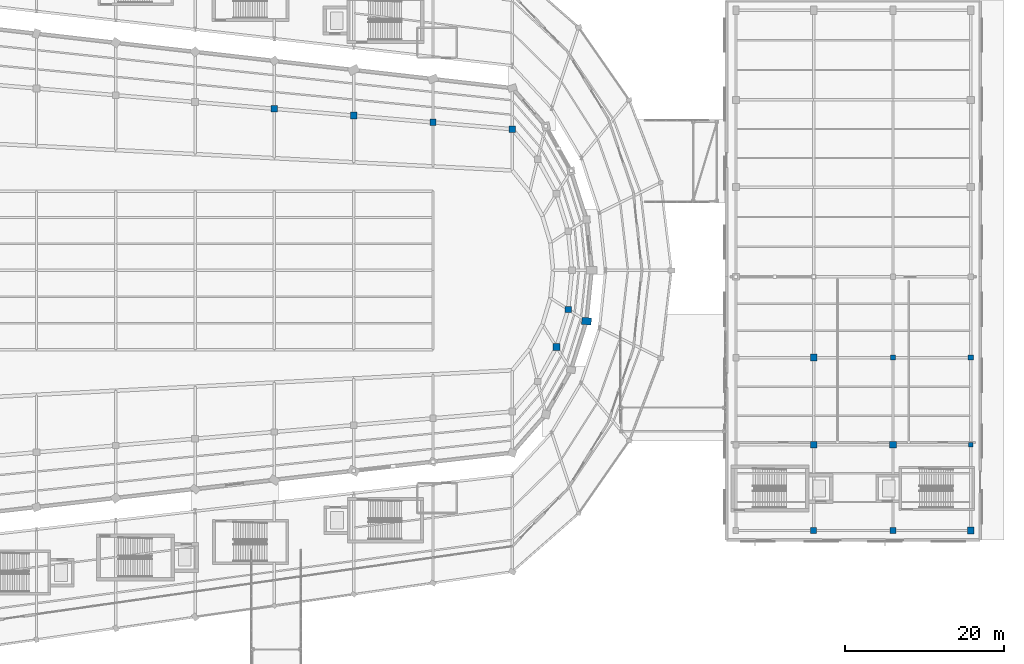
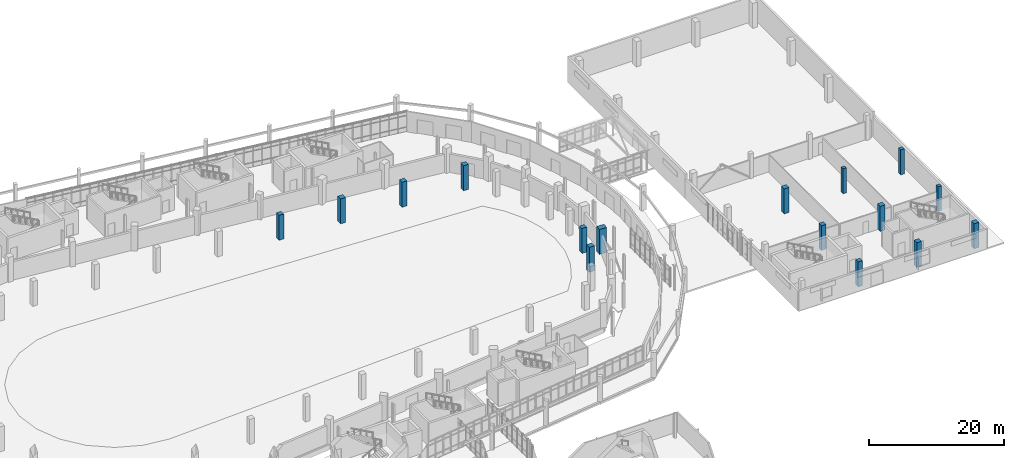
# One storey, part 22 of 122: 16 columns.
"""IFC4 building model written with IfcOpenShell, lengths in metres."""

from ifc_helpers import new_model, si_unit, direction, frame, origin, origin_2d, place, context, subcontext, project, spatial, rectangle, extrude, material, material_profile, profile_set, type_object, element, save


model = new_model("IFC4")

# Units and contexts
model_context = context("Model", 3, precision=1e-05, world=origin(), true_north=direction((0.0, 1.0)))
body_context = subcontext(model_context, "Body", "Model", "MODEL_VIEW")
ifc_project = project(units=[si_unit("LENGTHUNIT", "METRE"), si_unit("AREAUNIT", "SQUARE_METRE"), si_unit("VOLUMEUNIT", "CUBIC_METRE"), si_unit("PLANEANGLEUNIT", "RADIAN"), si_unit("MASSUNIT", "GRAM", prefix="KILO")], contexts=[model_context])

# Site, building, storey
site_placement = place(None, origin())
site = spatial("IfcSite", under=ifc_project, at=site_placement, CompositionType="ELEMENT")
building_placement = place(site_placement, origin())
building = spatial("IfcBuilding", under=site, at=building_placement, Name="Sohan Crest Arena", CompositionType="ELEMENT")
storey_placement = place(building_placement, origin())
storey = spatial("IfcBuildingStorey", under=building, at=storey_placement, Name="L00", CompositionType="ELEMENT", Elevation=0.0)

# Columns
ifc_material = material(Name="Concrete C40/50", Category="concrete")
ifc_material_profile_1 = material_profile(ifc_material, rectangle(XDim=0.60009765625, YDim=0.60009765625, at=origin_2d()), Name="RC 600x600")
ifc_profile_set_1 = profile_set([ifc_material_profile_1], Name="Concrete C40/50")
column_type_1 = type_object("IfcColumnType", Name="STR-COL-C01", PredefinedType="COLUMN", material=ifc_profile_set_1)
for number, where, z_axis, x_axis, name in (
    (1, (216.0, 67.0, 0.0), (0.0, 0.0, 1.0), (1.0, 0.0, 0.0), "Structural column COL-V4S-33-L00"),
    (2, (225.800048828125, 56.0, 0.0), (0.0, 0.0, 1.0), (1.0, 0.0, 0.0), "Structural column COL-V4S-42-L00"),
):
    element("IfcColumn", number, at=place(storey_placement, frame(where, z_axis=z_axis, x_axis=x_axis)), inside=storey, type_object=column_type_1, Name=name, PredefinedType="COLUMN", context=body_context, shape_type="SweptSolid", body=[
        extrude(rectangle(XDim=0.60009765625, YDim=0.60009765625, at=origin_2d()), origin(), (0.0, 0.0, 1.0), 4.5),
    ])
ifc_material_profile_2 = material_profile(ifc_material, rectangle(XDim=0.64990234375, YDim=0.64990234375, at=origin_2d()), Name="RC 650x650")
ifc_profile_set_2 = profile_set([ifc_material_profile_2], Name="Concrete C40/50")
column_type_2 = type_object("IfcColumnType", Name="STR-COL-C02", PredefinedType="COLUMN", material=ifc_profile_set_2)
column_1_placement = place(storey_placement, frame((225.800048828125, 67.0, 0.0), z_axis=(0.0, 0.0, 1.0), x_axis=(1.0, 0.0, 0.0)))
element("IfcColumn", 3, at=column_1_placement, inside=storey, type_object=column_type_2, Name="Structural column COL-V4S-43-L00", PredefinedType="COLUMN", context=body_context, shape_type="SweptSolid", body=[
    extrude(rectangle(XDim=0.64990234375, YDim=0.64990234375, at=origin_2d()), origin(), (0.0, 0.0, 1.0), 4.5),
])
ifc_material_profile_3 = material_profile(ifc_material, rectangle(XDim=0.75, YDim=0.75, at=origin_2d()), Name="RC 750x750")
ifc_profile_set_3 = profile_set([ifc_material_profile_3], Name="Concrete C40/50")
column_type_3 = type_object("IfcColumnType", Name="STR-COL-C04", PredefinedType="COLUMN", material=ifc_profile_set_3)
column_2_placement = place(storey_placement, frame((206.0, 45.199951171875, 0.0), z_axis=(0.0, 0.0, 1.0), x_axis=(1.0, 0.0, 0.0)))
element("IfcColumn", 4, at=column_2_placement, inside=storey, type_object=column_type_3, Name="Structural column COL-V4S-21-L00", PredefinedType="COLUMN", context=body_context, shape_type="SweptSolid", body=[
    extrude(rectangle(XDim=0.75, YDim=0.75, at=origin_2d()), origin(), (0.0, 0.0, 1.0), 4.5),
])
ifc_material_profile_4 = material_profile(ifc_material, rectangle(XDim=0.800048828125, YDim=0.800048828125, at=origin_2d()), Name="RC 800x800")
ifc_profile_set_4 = profile_set([ifc_material_profile_4], Name="Concrete C40/50")
column_type_4 = type_object("IfcColumnType", Name="STR-COL-C05", PredefinedType="COLUMN", material=ifc_profile_set_4)
for number, where, z_axis, x_axis, name in (
    (5, (175.037109375, 73.070068359375, 0.0), (0.0, 0.0, 1.0), (1.0, 0.0, 0.0), "Structural column COL-V1M-23-L00"),
    (6, (158.0, 96.656982421875, 0.0), (0.0, 0.0, 1.0), (1.0, 0.0, 0.0), "Structural column COL-V1M-29-L00"),
    (7, (138.0, 98.37109375, 0.0), (0.0, 0.0, 1.0), (1.0, 0.0, 0.0), "Structural column COL-V1M-31-L00"),
    (8, (206.0, 56.0, 0.0), (0.0, 0.0, 1.0), (1.0, 0.0, 0.0), "Structural column COL-V4S-22-L00"),
    (9, (216.0, 45.199951171875, 0.0), (0.0, 0.0, 1.0), (1.0, 0.0, 0.0), "Structural column COL-V4S-31-L00"),
):
    element("IfcColumn", number, at=place(storey_placement, frame(where, z_axis=z_axis, x_axis=x_axis)), inside=storey, type_object=column_type_4, Name=name, PredefinedType="COLUMN", context=body_context, shape_type="SweptSolid", body=[
        extrude(rectangle(XDim=0.800048828125, YDim=0.800048828125, at=origin_2d()), origin(), (0.0, 0.0, 1.0), 4.5),
    ])
ifc_material_profile_5 = material_profile(ifc_material, rectangle(XDim=0.85009765625, YDim=0.85009765625, at=origin_2d()), Name="RC 850x850")
ifc_profile_set_5 = profile_set([ifc_material_profile_5], Name="Concrete C40/50")
column_type_5 = type_object("IfcColumnType", Name="STR-COL-C06", PredefinedType="COLUMN", material=ifc_profile_set_5)
for number, where, z_axis, x_axis, name in (
    (10, (173.571044921875, 68.3359375, 0.0), (0.0, 0.0, 1.0), (1.0, 0.0, 0.0), "Structural column COL-V1M-22-L00"),
    (11, (168.0, 95.800048828125, 0.0), (0.0, 0.0, 1.0), (1.0, 0.0, 0.0), "Structural column COL-V1M-28-L00"),
    (12, (148.0, 97.513916015625, 0.0), (0.0, 0.0, 1.0), (1.0, 0.0, 0.0), "Structural column COL-V1M-30-L00"),
    (13, (206.0, 67.0, 0.0), (0.0, 0.0, 1.0), (1.0, 0.0, 0.0), "Structural column COL-V4S-23-L00"),
    (14, (216.0, 56.0, 0.0), (0.0, 0.0, 1.0), (1.0, 0.0, 0.0), "Structural column COL-V4S-32-L00"),
    (15, (225.800048828125, 45.199951171875, 0.0), (0.0, 0.0, 1.0), (1.0, 0.0, 0.0), "Structural column COL-V4S-41-L00"),
):
    element("IfcColumn", number, at=place(storey_placement, frame(where, z_axis=z_axis, x_axis=x_axis)), inside=storey, type_object=column_type_5, Name=name, PredefinedType="COLUMN", context=body_context, shape_type="SweptSolid", body=[
        extrude(rectangle(XDim=0.85009765625, YDim=0.85009765625, at=origin_2d()), origin(), (0.0, 0.0, 1.0), 4.5),
    ])
ifc_material_profile_6 = material_profile(ifc_material, rectangle(XDim=1.199951171875, YDim=0.89990234375, at=origin_2d()), Name="RC 1200x900")
ifc_profile_set_6 = profile_set([ifc_material_profile_6], Name="Concrete C40/50")
column_type_6 = type_object("IfcColumnType", Name="STR-COL-C11", PredefinedType="COLUMN", material=ifc_profile_set_6)
column_3_placement = place(storey_placement, frame((177.363037109375, 71.593017578125, 0.0), z_axis=(0.0, 0.0, 1.0), x_axis=(-0.996778878456, 0.080198924329, 0.0)))
element("IfcColumn", 16, at=column_3_placement, inside=storey, type_object=column_type_6, Name="Structural column COL-V1R-23-L00", PredefinedType="COLUMN", context=body_context, shape_type="SweptSolid", body=[
    extrude(rectangle(XDim=1.199951171875, YDim=0.89990234375, at=origin_2d()), origin(), (0.0, 0.0, 1.0), 4.5),
])

save(model, "model.ifc")
